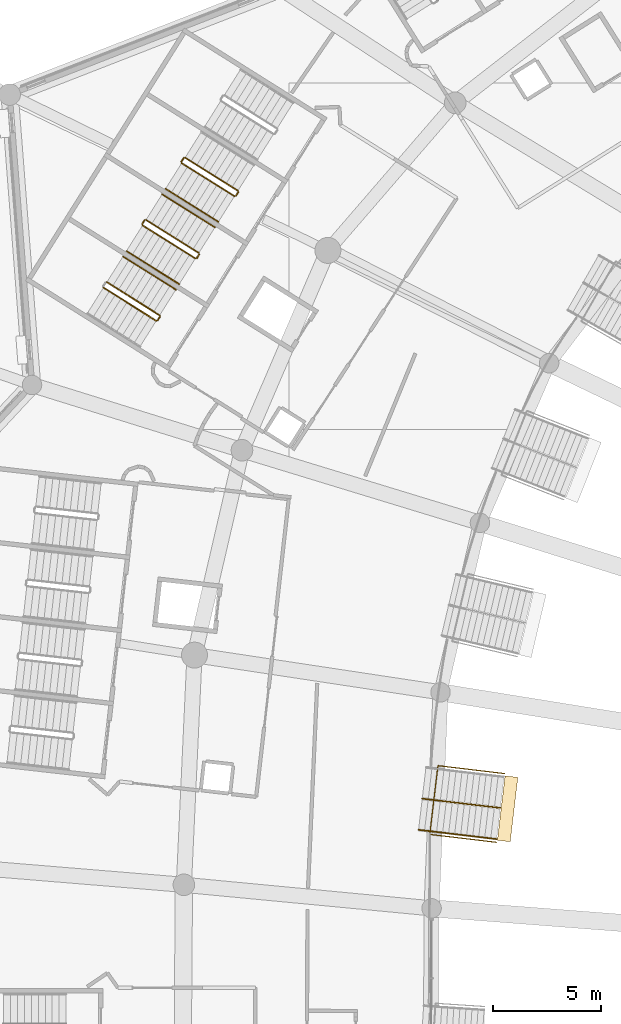
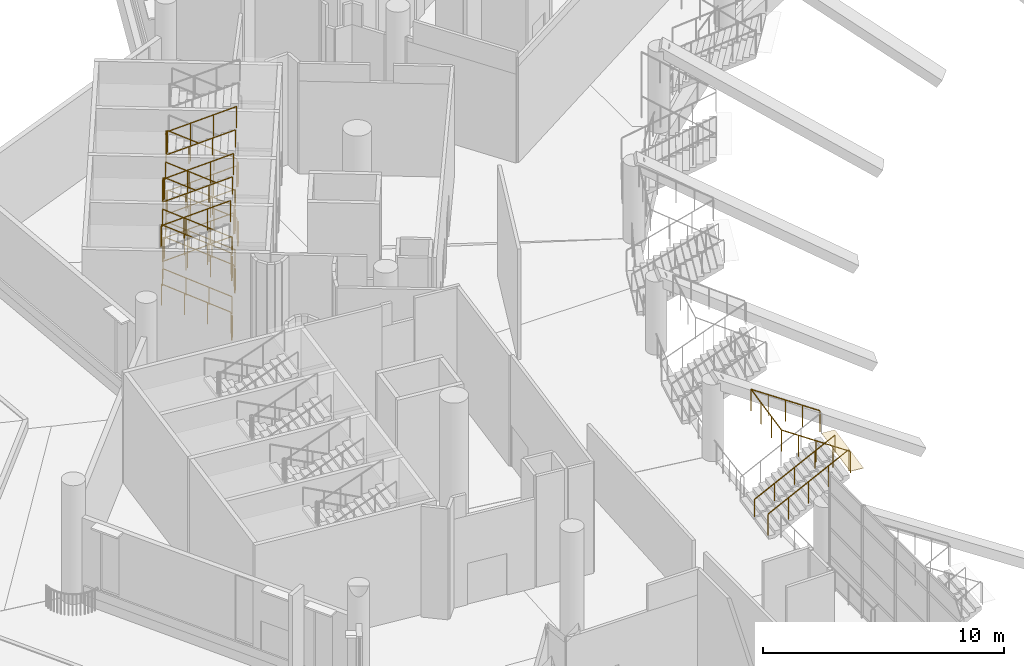
# One storey, part 148 of 173: 32 railings, 1 covering.
"""IFC4 building model written with IfcOpenShell, lengths in metres."""

from ifc_helpers import new_model, si_unit, direction, frame, origin, origin_2d, place, context, subcontext, project, spatial, rectangle, circle, extrude, material, layer, layer_set, type_object, element, save


model = new_model("IFC4")

# Units and contexts
model_context = context("Model", 3, precision=1e-05, world=origin(), true_north=direction((0.0, 1.0)))
body_context = subcontext(model_context, "Body", "Model", "MODEL_VIEW")
ifc_project = project(units=[si_unit("LENGTHUNIT", "METRE"), si_unit("AREAUNIT", "SQUARE_METRE"), si_unit("VOLUMEUNIT", "CUBIC_METRE"), si_unit("PLANEANGLEUNIT", "RADIAN"), si_unit("MASSUNIT", "GRAM", prefix="KILO")], contexts=[model_context])

# Site, building, storey
site_placement = place(None, origin())
site = spatial("IfcSite", under=ifc_project, at=site_placement, CompositionType="ELEMENT")
building_placement = place(site_placement, origin())
building = spatial("IfcBuilding", under=site, at=building_placement, Name="Meseta Stadium", CompositionType="ELEMENT")
storey_placement = place(building_placement, frame((0.0, 0.0, 18.0)))
storey = spatial("IfcBuildingStorey", under=building, at=storey_placement, Name="L03", CompositionType="ELEMENT", Elevation=18.0)

# Railings
ifc_material_1 = material(Name="Steel S355", Category="steel")
railing_type_1 = type_object("IfcRailingType", Name="Stair guard 1100", PredefinedType="GUARDRAIL", material=ifc_material_1)
railing_1_placement = place(storey_placement, frame((-82.356201171875, 75.029052734375, 0.14990234375)))
element("IfcRailing", 1, at=railing_1_placement, inside=storey, type_object=railing_type_1, Name="ST54 L03 guard 1", PredefinedType="GUARDRAIL", context=body_context, shape_type="SweptSolid", body=[
    extrude(circle(Radius=0.02392578125, at=origin_2d()), frame((0.0, 0.0, 1.076171875), z_axis=(-0.766687087345, 0.481702688975, 0.424444848635), x_axis=(-0.532001404082, -0.84674347122, 0.0)), (0.0, 0.0, 1.0), 3.180908203125),
    extrude(circle(Radius=0.02099609375, at=origin_2d()), origin(), (0.0, 0.0, 1.0), 1.052001953125),
    extrude(circle(Radius=0.02099609375, at=origin_2d()), frame((-0.81298828125, 0.5107421875, 0.449951171875)), (0.0, 0.0, 1.0), 1.052001953125),
    extrude(circle(Radius=0.02099609375, at=origin_2d()), frame((-1.625732421875, 1.021484375, 0.900146484375)), (0.0, 0.0, 1.0), 1.052001953125),
    extrude(circle(Radius=0.02099609375, at=origin_2d()), frame((-2.438720703125, 1.5322265625, 1.35009765625)), (0.0, 0.0, 1.0), 1.052001953125),
])
railing_2_placement = place(storey_placement, frame((-84.86376953125, 76.545654296875, 1.5)))
element("IfcRailing", 2, at=railing_2_placement, inside=storey, type_object=railing_type_1, Name="ST54 L03 guard 2", PredefinedType="GUARDRAIL", context=body_context, shape_type="SweptSolid", body=[
    extrude(circle(Radius=0.02392578125, at=origin_2d()), frame((0.0, 0.0, 1.076171875), z_axis=(-0.531971628011, -0.846762178531, 0.0), x_axis=(0.846762178531, -0.531971628011, 0.0)), (0.0, 0.0, 1.0), 0.2001953125),
    extrude(circle(Radius=0.02099609375, at=origin_2d()), origin(), (0.0, 0.0, 1.0), 1.052001953125),
    extrude(circle(Radius=0.02099609375, at=origin_2d()), frame((-0.1064453125, -0.16943359375, 0.0)), (0.0, 0.0, 1.0), 1.052001953125),
])
railing_3_placement = place(storey_placement, frame((-84.954345703125, 76.307373046875, 1.64990234375)))
element("IfcRailing", 3, at=railing_3_placement, inside=storey, type_object=railing_type_1, Name="ST54 L03 guard 3", PredefinedType="GUARDRAIL", context=body_context, shape_type="SweptSolid", body=[
    extrude(circle(Radius=0.02392578125, at=origin_2d()), frame((0.0, 0.0, 1.076171875), z_axis=(0.766655447606, -0.481731036161, 0.424469826318), x_axis=(0.53203959143, 0.846719477248, 0.0)), (0.0, 0.0, 1.0), 3.1806640625),
    extrude(circle(Radius=0.02099609375, at=origin_2d()), origin(), (0.0, 0.0, 1.0), 1.052001953125),
    extrude(circle(Radius=0.02099609375, at=origin_2d()), frame((0.812744140625, -0.5107421875, 0.449951171875)), (0.0, 0.0, 1.0), 1.052001953125),
    extrude(circle(Radius=0.02099609375, at=origin_2d()), frame((1.625732421875, -1.021484375, 0.900146484375)), (0.0, 0.0, 1.0), 1.052001953125),
    extrude(circle(Radius=0.02099609375, at=origin_2d()), frame((2.4384765625, -1.5322265625, 1.35009765625)), (0.0, 0.0, 1.0), 1.052001953125),
])
railing_4_placement = place(storey_placement, frame((-82.340576171875, 74.960205078125, 3.0)))
element("IfcRailing", 4, at=railing_4_placement, inside=storey, type_object=railing_type_1, Name="ST54 L03 guard 4", PredefinedType="GUARDRAIL", context=body_context, shape_type="SweptSolid", body=[
    extrude(circle(Radius=0.02392578125, at=origin_2d()), frame((0.0, 0.0, 1.076171875), z_axis=(-0.531971628011, -0.846762178531, 0.0), x_axis=(0.846762178531, -0.531971628011, 0.0)), (0.0, 0.0, 1.0), 0.2001953125),
    extrude(circle(Radius=0.02099609375, at=origin_2d()), origin(), (0.0, 0.0, 1.0), 1.052001953125),
    extrude(circle(Radius=0.02099609375, at=origin_2d()), frame((-0.1064453125, -0.16943359375, 0.0)), (0.0, 0.0, 1.0), 1.052001953125),
])
railing_5_placement = place(storey_placement, frame((-82.356201171875, 75.029052734375, 3.14990234375)))
element("IfcRailing", 5, at=railing_5_placement, inside=storey, type_object=railing_type_1, Name="ST54 L03 guard 5", PredefinedType="GUARDRAIL", context=body_context, shape_type="SweptSolid", body=[
    extrude(circle(Radius=0.02392578125, at=origin_2d()), frame((0.0, 0.0, 1.076171875), z_axis=(-0.766687087345, 0.481702688975, 0.424444848635), x_axis=(-0.532001404082, -0.84674347122, 0.0)), (0.0, 0.0, 1.0), 3.180908203125),
    extrude(circle(Radius=0.02099609375, at=origin_2d()), origin(), (0.0, 0.0, 1.0), 1.052001953125),
    extrude(circle(Radius=0.02099609375, at=origin_2d()), frame((-0.81298828125, 0.5107421875, 0.449951171875)), (0.0, 0.0, 1.0), 1.052001953125),
    extrude(circle(Radius=0.02099609375, at=origin_2d()), frame((-1.625732421875, 1.021484375, 0.900146484375)), (0.0, 0.0, 1.0), 1.052001953125),
    extrude(circle(Radius=0.02099609375, at=origin_2d()), frame((-2.438720703125, 1.5322265625, 1.35009765625)), (0.0, 0.0, 1.0), 1.052001953125),
])
railing_6_placement = place(storey_placement, frame((-84.86376953125, 76.545654296875, 4.5)))
element("IfcRailing", 6, at=railing_6_placement, inside=storey, type_object=railing_type_1, Name="ST54 L03 guard 6", PredefinedType="GUARDRAIL", context=body_context, shape_type="SweptSolid", body=[
    extrude(circle(Radius=0.02392578125, at=origin_2d()), frame((0.0, 0.0, 1.076171875), z_axis=(-0.531971628011, -0.846762178531, 0.0), x_axis=(0.846762178531, -0.531971628011, 0.0)), (0.0, 0.0, 1.0), 0.2001953125),
    extrude(circle(Radius=0.02099609375, at=origin_2d()), origin(), (0.0, 0.0, 1.0), 1.052001953125),
    extrude(circle(Radius=0.02099609375, at=origin_2d()), frame((-0.1064453125, -0.16943359375, 0.0)), (0.0, 0.0, 1.0), 1.052001953125),
])
railing_7_placement = place(storey_placement, frame((-84.954345703125, 76.307373046875, 4.64990234375)))
element("IfcRailing", 7, at=railing_7_placement, inside=storey, type_object=railing_type_1, Name="ST54 L03 guard 7", PredefinedType="GUARDRAIL", context=body_context, shape_type="SweptSolid", body=[
    extrude(circle(Radius=0.02392578125, at=origin_2d()), frame((0.0, 0.0, 1.076171875), z_axis=(0.766655447606, -0.481731036161, 0.424469826318), x_axis=(0.53203959143, 0.846719477248, 0.0)), (0.0, 0.0, 1.0), 3.1806640625),
    extrude(circle(Radius=0.02099609375, at=origin_2d()), origin(), (0.0, 0.0, 1.0), 1.052001953125),
    extrude(circle(Radius=0.02099609375, at=origin_2d()), frame((0.812744140625, -0.5107421875, 0.449951171875)), (0.0, 0.0, 1.0), 1.052001953125),
    extrude(circle(Radius=0.02099609375, at=origin_2d()), frame((1.625732421875, -1.021484375, 0.900146484375)), (0.0, 0.0, 1.0), 1.052001953125),
    extrude(circle(Radius=0.02099609375, at=origin_2d()), frame((2.4384765625, -1.5322265625, 1.35009765625)), (0.0, 0.0, 1.0), 1.052001953125),
])
railing_8_placement = place(storey_placement, frame((-82.340576171875, 74.960205078125, 0.0)))
element("IfcRailing", 8, at=railing_8_placement, inside=storey, type_object=railing_type_1, Name="ST54 L03 guard 8", PredefinedType="GUARDRAIL", context=body_context, shape_type="SweptSolid", body=[
    extrude(circle(Radius=0.02392578125, at=origin_2d()), frame((0.0, 0.0, 1.076171875), z_axis=(-0.531971628011, -0.846762178531, 0.0), x_axis=(0.846762178531, -0.531971628011, 0.0)), (0.0, 0.0, 1.0), 0.2001953125),
    extrude(circle(Radius=0.02099609375, at=origin_2d()), origin(), (0.0, 0.0, 1.0), 1.052001953125),
    extrude(circle(Radius=0.02099609375, at=origin_2d()), frame((-0.1064453125, -0.16943359375, 0.0)), (0.0, 0.0, 1.0), 1.052001953125),
])
railing_9_placement = place(storey_placement, frame((-84.165283203125, 72.150146484375, 0.14990234375)))
element("IfcRailing", 9, at=railing_9_placement, inside=storey, type_object=railing_type_1, Name="ST55 L03 guard 1", PredefinedType="GUARDRAIL", context=body_context, shape_type="SweptSolid", body=[
    extrude(circle(Radius=0.02392578125, at=origin_2d()), frame((0.0, 0.0, 1.076171875), z_axis=(-0.766655447606, 0.481731036161, 0.424469826318), x_axis=(-0.53203959143, -0.846719477248, 0.0)), (0.0, 0.0, 1.0), 3.1806640625),
    extrude(circle(Radius=0.02099609375, at=origin_2d()), origin(), (0.0, 0.0, 1.0), 1.052001953125),
    extrude(circle(Radius=0.02099609375, at=origin_2d()), frame((-0.812744140625, 0.5107421875, 0.449951171875)), (0.0, 0.0, 1.0), 1.052001953125),
    extrude(circle(Radius=0.02099609375, at=origin_2d()), frame((-1.625732421875, 1.021484375, 0.900146484375)), (0.0, 0.0, 1.0), 1.052001953125),
    extrude(circle(Radius=0.02099609375, at=origin_2d()), frame((-2.4384765625, 1.5322265625, 1.35009765625)), (0.0, 0.0, 1.0), 1.052001953125),
])
railing_10_placement = place(storey_placement, frame((-86.672607421875, 73.666748046875, 1.5)))
element("IfcRailing", 10, at=railing_10_placement, inside=storey, type_object=railing_type_1, Name="ST55 L03 guard 2", PredefinedType="GUARDRAIL", context=body_context, shape_type="SweptSolid", body=[
    extrude(circle(Radius=0.02392578125, at=origin_2d()), frame((0.0, 0.0, 1.076171875), z_axis=(-0.531971628011, -0.846762178531, 0.0), x_axis=(0.846762178531, -0.531971628011, 0.0)), (0.0, 0.0, 1.0), 0.2001953125),
    extrude(circle(Radius=0.02099609375, at=origin_2d()), origin(), (0.0, 0.0, 1.0), 1.052001953125),
    extrude(circle(Radius=0.02099609375, at=origin_2d()), frame((-0.1064453125, -0.16943359375, 0.0)), (0.0, 0.0, 1.0), 1.052001953125),
])
railing_11_placement = place(storey_placement, frame((-86.763427734375, 73.428466796875, 1.64990234375)))
element("IfcRailing", 11, at=railing_11_placement, inside=storey, type_object=railing_type_1, Name="ST55 L03 guard 3", PredefinedType="GUARDRAIL", context=body_context, shape_type="SweptSolid", body=[
    extrude(circle(Radius=0.02392578125, at=origin_2d()), frame((0.0, 0.0, 1.076171875), z_axis=(0.766687087345, -0.481702688975, 0.424444848635), x_axis=(0.532001404082, 0.84674347122, 0.0)), (0.0, 0.0, 1.0), 3.180908203125),
    extrude(circle(Radius=0.02099609375, at=origin_2d()), origin(), (0.0, 0.0, 1.0), 1.052001953125),
    extrude(circle(Radius=0.02099609375, at=origin_2d()), frame((0.81298828125, -0.5107421875, 0.449951171875)), (0.0, 0.0, 1.0), 1.052001953125),
    extrude(circle(Radius=0.02099609375, at=origin_2d()), frame((1.625732421875, -1.021484375, 0.900146484375)), (0.0, 0.0, 1.0), 1.052001953125),
    extrude(circle(Radius=0.02099609375, at=origin_2d()), frame((2.438720703125, -1.5322265625, 1.35009765625)), (0.0, 0.0, 1.0), 1.052001953125),
])
railing_12_placement = place(storey_placement, frame((-84.1494140625, 72.081298828125, 3.0)))
element("IfcRailing", 12, at=railing_12_placement, inside=storey, type_object=railing_type_1, Name="ST55 L03 guard 4", PredefinedType="GUARDRAIL", context=body_context, shape_type="SweptSolid", body=[
    extrude(circle(Radius=0.02392578125, at=origin_2d()), frame((0.0, 0.0, 1.076171875), z_axis=(-0.531971628011, -0.846762178531, 0.0), x_axis=(0.846762178531, -0.531971628011, 0.0)), (0.0, 0.0, 1.0), 0.2001953125),
    extrude(circle(Radius=0.02099609375, at=origin_2d()), origin(), (0.0, 0.0, 1.0), 1.052001953125),
    extrude(circle(Radius=0.02099609375, at=origin_2d()), frame((-0.1064453125, -0.16943359375, 0.0)), (0.0, 0.0, 1.0), 1.052001953125),
])
railing_13_placement = place(storey_placement, frame((-84.165283203125, 72.150146484375, 3.14990234375)))
element("IfcRailing", 13, at=railing_13_placement, inside=storey, type_object=railing_type_1, Name="ST55 L03 guard 5", PredefinedType="GUARDRAIL", context=body_context, shape_type="SweptSolid", body=[
    extrude(circle(Radius=0.02392578125, at=origin_2d()), frame((0.0, 0.0, 1.076171875), z_axis=(-0.766655447606, 0.481731036161, 0.424469826318), x_axis=(-0.53203959143, -0.846719477248, 0.0)), (0.0, 0.0, 1.0), 3.1806640625),
    extrude(circle(Radius=0.02099609375, at=origin_2d()), origin(), (0.0, 0.0, 1.0), 1.052001953125),
    extrude(circle(Radius=0.02099609375, at=origin_2d()), frame((-0.812744140625, 0.5107421875, 0.449951171875)), (0.0, 0.0, 1.0), 1.052001953125),
    extrude(circle(Radius=0.02099609375, at=origin_2d()), frame((-1.625732421875, 1.021484375, 0.900146484375)), (0.0, 0.0, 1.0), 1.052001953125),
    extrude(circle(Radius=0.02099609375, at=origin_2d()), frame((-2.4384765625, 1.5322265625, 1.35009765625)), (0.0, 0.0, 1.0), 1.052001953125),
])
railing_14_placement = place(storey_placement, frame((-86.672607421875, 73.666748046875, 4.5)))
element("IfcRailing", 14, at=railing_14_placement, inside=storey, type_object=railing_type_1, Name="ST55 L03 guard 6", PredefinedType="GUARDRAIL", context=body_context, shape_type="SweptSolid", body=[
    extrude(circle(Radius=0.02392578125, at=origin_2d()), frame((0.0, 0.0, 1.076171875), z_axis=(-0.531971628011, -0.846762178531, 0.0), x_axis=(0.846762178531, -0.531971628011, 0.0)), (0.0, 0.0, 1.0), 0.2001953125),
    extrude(circle(Radius=0.02099609375, at=origin_2d()), origin(), (0.0, 0.0, 1.0), 1.052001953125),
    extrude(circle(Radius=0.02099609375, at=origin_2d()), frame((-0.1064453125, -0.16943359375, 0.0)), (0.0, 0.0, 1.0), 1.052001953125),
])
railing_15_placement = place(storey_placement, frame((-86.763427734375, 73.428466796875, 4.64990234375)))
element("IfcRailing", 15, at=railing_15_placement, inside=storey, type_object=railing_type_1, Name="ST55 L03 guard 7", PredefinedType="GUARDRAIL", context=body_context, shape_type="SweptSolid", body=[
    extrude(circle(Radius=0.02392578125, at=origin_2d()), frame((0.0, 0.0, 1.076171875), z_axis=(0.766687087345, -0.481702688975, 0.424444848635), x_axis=(0.532001404082, 0.84674347122, 0.0)), (0.0, 0.0, 1.0), 3.180908203125),
    extrude(circle(Radius=0.02099609375, at=origin_2d()), origin(), (0.0, 0.0, 1.0), 1.052001953125),
    extrude(circle(Radius=0.02099609375, at=origin_2d()), frame((0.81298828125, -0.5107421875, 0.449951171875)), (0.0, 0.0, 1.0), 1.052001953125),
    extrude(circle(Radius=0.02099609375, at=origin_2d()), frame((1.625732421875, -1.021484375, 0.900146484375)), (0.0, 0.0, 1.0), 1.052001953125),
    extrude(circle(Radius=0.02099609375, at=origin_2d()), frame((2.438720703125, -1.5322265625, 1.35009765625)), (0.0, 0.0, 1.0), 1.052001953125),
])
railing_16_placement = place(storey_placement, frame((-84.1494140625, 72.081298828125, 0.0)))
element("IfcRailing", 16, at=railing_16_placement, inside=storey, type_object=railing_type_1, Name="ST55 L03 guard 8", PredefinedType="GUARDRAIL", context=body_context, shape_type="SweptSolid", body=[
    extrude(circle(Radius=0.02392578125, at=origin_2d()), frame((0.0, 0.0, 1.076171875), z_axis=(-0.531971628011, -0.846762178531, 0.0), x_axis=(0.846762178531, -0.531971628011, 0.0)), (0.0, 0.0, 1.0), 0.2001953125),
    extrude(circle(Radius=0.02099609375, at=origin_2d()), origin(), (0.0, 0.0, 1.0), 1.052001953125),
    extrude(circle(Radius=0.02099609375, at=origin_2d()), frame((-0.1064453125, -0.16943359375, 0.0)), (0.0, 0.0, 1.0), 1.052001953125),
])
railing_17_placement = place(storey_placement, frame((-85.97412109375, 69.271240234375, 0.14990234375)))
element("IfcRailing", 17, at=railing_17_placement, inside=storey, type_object=railing_type_1, Name="ST56 L03 guard 1", PredefinedType="GUARDRAIL", context=body_context, shape_type="SweptSolid", body=[
    extrude(circle(Radius=0.02392578125, at=origin_2d()), frame((0.0, 0.0, 1.076171875), z_axis=(-0.766655447606, 0.481731036161, 0.424469826318), x_axis=(-0.53203959143, -0.846719477248, 0.0)), (0.0, 0.0, 1.0), 3.1806640625),
    extrude(circle(Radius=0.02099609375, at=origin_2d()), origin(), (0.0, 0.0, 1.0), 1.052001953125),
    extrude(circle(Radius=0.02099609375, at=origin_2d()), frame((-0.812744140625, 0.5107421875, 0.449951171875)), (0.0, 0.0, 1.0), 1.052001953125),
    extrude(circle(Radius=0.02099609375, at=origin_2d()), frame((-1.625732421875, 1.021484375, 0.900146484375)), (0.0, 0.0, 1.0), 1.052001953125),
    extrude(circle(Radius=0.02099609375, at=origin_2d()), frame((-2.4384765625, 1.5322265625, 1.35009765625)), (0.0, 0.0, 1.0), 1.052001953125),
])
railing_18_placement = place(storey_placement, frame((-85.958251953125, 69.202392578125, 3.0)))
element("IfcRailing", 18, at=railing_18_placement, inside=storey, type_object=railing_type_1, Name="ST56 L03 guard 4", PredefinedType="GUARDRAIL", context=body_context, shape_type="SweptSolid", body=[
    extrude(circle(Radius=0.02392578125, at=origin_2d()), frame((0.0, 0.0, 1.076171875), z_axis=(-0.531971628011, -0.846762178531, 0.0), x_axis=(0.846762178531, -0.531971628011, 0.0)), (0.0, 0.0, 1.0), 0.2001953125),
    extrude(circle(Radius=0.02099609375, at=origin_2d()), origin(), (0.0, 0.0, 1.0), 1.052001953125),
    extrude(circle(Radius=0.02099609375, at=origin_2d()), frame((-0.1064453125, -0.16943359375, 0.0)), (0.0, 0.0, 1.0), 1.052001953125),
])
railing_19_placement = place(storey_placement, frame((-85.97412109375, 69.271240234375, 3.14990234375)))
element("IfcRailing", 19, at=railing_19_placement, inside=storey, type_object=railing_type_1, Name="ST56 L03 guard 5", PredefinedType="GUARDRAIL", context=body_context, shape_type="SweptSolid", body=[
    extrude(circle(Radius=0.02392578125, at=origin_2d()), frame((0.0, 0.0, 1.076171875), z_axis=(-0.766655447606, 0.481731036161, 0.424469826318), x_axis=(-0.53203959143, -0.846719477248, 0.0)), (0.0, 0.0, 1.0), 3.1806640625),
    extrude(circle(Radius=0.02099609375, at=origin_2d()), origin(), (0.0, 0.0, 1.0), 1.052001953125),
    extrude(circle(Radius=0.02099609375, at=origin_2d()), frame((-0.812744140625, 0.5107421875, 0.449951171875)), (0.0, 0.0, 1.0), 1.052001953125),
    extrude(circle(Radius=0.02099609375, at=origin_2d()), frame((-1.625732421875, 1.021484375, 0.900146484375)), (0.0, 0.0, 1.0), 1.052001953125),
    extrude(circle(Radius=0.02099609375, at=origin_2d()), frame((-2.4384765625, 1.5322265625, 1.35009765625)), (0.0, 0.0, 1.0), 1.052001953125),
])
railing_20_placement = place(storey_placement, frame((-88.572265625, 70.549560546875, 4.64990234375)))
element("IfcRailing", 20, at=railing_20_placement, inside=storey, type_object=railing_type_1, Name="ST56 L03 guard 7", PredefinedType="GUARDRAIL", context=body_context, shape_type="SweptSolid", body=[
    extrude(circle(Radius=0.02392578125, at=origin_2d()), frame((0.0, 0.0, 1.076171875), z_axis=(0.766655447606, -0.481731036161, 0.424469826318), x_axis=(0.53203959143, 0.846719477248, 0.0)), (0.0, 0.0, 1.0), 3.1806640625),
    extrude(circle(Radius=0.02099609375, at=origin_2d()), origin(), (0.0, 0.0, 1.0), 1.052001953125),
    extrude(circle(Radius=0.02099609375, at=origin_2d()), frame((0.812744140625, -0.5107421875, 0.449951171875)), (0.0, 0.0, 1.0), 1.052001953125),
    extrude(circle(Radius=0.02099609375, at=origin_2d()), frame((1.625732421875, -1.021484375, 0.900146484375)), (0.0, 0.0, 1.0), 1.052001953125),
    extrude(circle(Radius=0.02099609375, at=origin_2d()), frame((2.4384765625, -1.5322265625, 1.35009765625)), (0.0, 0.0, 1.0), 1.052001953125),
])
railing_21_placement = place(storey_placement, frame((-85.958251953125, 69.202392578125, 0.0)))
element("IfcRailing", 21, at=railing_21_placement, inside=storey, type_object=railing_type_1, Name="ST56 L03 guard 8", PredefinedType="GUARDRAIL", context=body_context, shape_type="SweptSolid", body=[
    extrude(circle(Radius=0.02392578125, at=origin_2d()), frame((0.0, 0.0, 1.076171875), z_axis=(-0.531971628011, -0.846762178531, 0.0), x_axis=(0.846762178531, -0.531971628011, 0.0)), (0.0, 0.0, 1.0), 0.2001953125),
    extrude(circle(Radius=0.02099609375, at=origin_2d()), origin(), (0.0, 0.0, 1.0), 1.052001953125),
    extrude(circle(Radius=0.02099609375, at=origin_2d()), frame((-0.1064453125, -0.16943359375, 0.0)), (0.0, 0.0, 1.0), 1.052001953125),
])
ifc_material_2 = material(Name="Steel S355", Category="steel")
railing_type_2 = type_object("IfcRailingType", Name="Stair handrail 900", PredefinedType="HANDRAIL", material=ifc_material_2)
for number, where, name in (
    (22, (-85.69921875, 75.121826171875, 1.64990234375), "ST54 L03 handrail 2"),
    (23, (-85.69921875, 75.121826171875, 4.64990234375), "ST54 L03 handrail 4"),
):
    element("IfcRailing", number, at=place(storey_placement, frame(where)), inside=storey, type_object=railing_type_2, Name=name, PredefinedType="HANDRAIL", context=body_context, shape_type="SweptSolid", body=[
        extrude(circle(Radius=0.02392578125, at=origin_2d()), frame((0.0, 0.0, 0.8759765625), z_axis=(0.766655447606, -0.481731036161, 0.424469826318), x_axis=(0.53203959143, 0.846719477248, 0.0)), (0.0, 0.0, 1.0), 3.1806640625),
        extrude(circle(Radius=0.02099609375, at=origin_2d()), origin(), (0.0, 0.0, 1.0), 0.851806640625),
        extrude(circle(Radius=0.02099609375, at=origin_2d()), frame((0.812744140625, -0.5107421875, 0.449951171875)), (0.0, 0.0, 1.0), 0.851806640625),
        extrude(circle(Radius=0.02099609375, at=origin_2d()), frame((1.625732421875, -1.021484375, 0.900146484375)), (0.0, 0.0, 1.0), 0.851806640625),
        extrude(circle(Radius=0.02099609375, at=origin_2d()), frame((2.4384765625, -1.5322265625, 1.35009765625)), (0.0, 0.0, 1.0), 0.851806640625),
    ])
railing_22_placement = place(storey_placement, frame((-83.42041015625, 73.335693359375, 0.14990234375)))
element("IfcRailing", 24, at=railing_22_placement, inside=storey, type_object=railing_type_2, Name="ST55 L03 handrail 1", PredefinedType="HANDRAIL", context=body_context, shape_type="SweptSolid", body=[
    extrude(circle(Radius=0.02392578125, at=origin_2d()), frame((0.0, 0.0, 0.8759765625), z_axis=(-0.766655447606, 0.481731036161, 0.424469826318), x_axis=(-0.53203959143, -0.846719477248, 0.0)), (0.0, 0.0, 1.0), 3.1806640625),
    extrude(circle(Radius=0.02099609375, at=origin_2d()), origin(), (0.0, 0.0, 1.0), 0.851806640625),
    extrude(circle(Radius=0.02099609375, at=origin_2d()), frame((-0.812744140625, 0.5107421875, 0.449951171875)), (0.0, 0.0, 1.0), 0.851806640625),
    extrude(circle(Radius=0.02099609375, at=origin_2d()), frame((-1.625732421875, 1.021484375, 0.900146484375)), (0.0, 0.0, 1.0), 0.851806640625),
    extrude(circle(Radius=0.02099609375, at=origin_2d()), frame((-2.4384765625, 1.5322265625, 1.35009765625)), (0.0, 0.0, 1.0), 0.851806640625),
])
railing_23_placement = place(storey_placement, frame((-87.50830078125, 72.242919921875, 1.64990234375)))
element("IfcRailing", 25, at=railing_23_placement, inside=storey, type_object=railing_type_2, Name="ST55 L03 handrail 2", PredefinedType="HANDRAIL", context=body_context, shape_type="SweptSolid", body=[
    extrude(circle(Radius=0.02392578125, at=origin_2d()), frame((0.0, 0.0, 0.8759765625), z_axis=(0.766687087345, -0.481702688975, 0.424444848635), x_axis=(0.532001404082, 0.84674347122, 0.0)), (0.0, 0.0, 1.0), 3.180908203125),
    extrude(circle(Radius=0.02099609375, at=origin_2d()), origin(), (0.0, 0.0, 1.0), 0.851806640625),
    extrude(circle(Radius=0.02099609375, at=origin_2d()), frame((0.81298828125, -0.5107421875, 0.449951171875)), (0.0, 0.0, 1.0), 0.851806640625),
    extrude(circle(Radius=0.02099609375, at=origin_2d()), frame((1.625732421875, -1.021484375, 0.900146484375)), (0.0, 0.0, 1.0), 0.851806640625),
    extrude(circle(Radius=0.02099609375, at=origin_2d()), frame((2.438720703125, -1.5322265625, 1.35009765625)), (0.0, 0.0, 1.0), 0.851806640625),
])
railing_24_placement = place(storey_placement, frame((-83.42041015625, 73.335693359375, 3.14990234375)))
element("IfcRailing", 26, at=railing_24_placement, inside=storey, type_object=railing_type_2, Name="ST55 L03 handrail 3", PredefinedType="HANDRAIL", context=body_context, shape_type="SweptSolid", body=[
    extrude(circle(Radius=0.02392578125, at=origin_2d()), frame((0.0, 0.0, 0.8759765625), z_axis=(-0.766655447606, 0.481731036161, 0.424469826318), x_axis=(-0.53203959143, -0.846719477248, 0.0)), (0.0, 0.0, 1.0), 3.1806640625),
    extrude(circle(Radius=0.02099609375, at=origin_2d()), origin(), (0.0, 0.0, 1.0), 0.851806640625),
    extrude(circle(Radius=0.02099609375, at=origin_2d()), frame((-0.812744140625, 0.5107421875, 0.449951171875)), (0.0, 0.0, 1.0), 0.851806640625),
    extrude(circle(Radius=0.02099609375, at=origin_2d()), frame((-1.625732421875, 1.021484375, 0.900146484375)), (0.0, 0.0, 1.0), 0.851806640625),
    extrude(circle(Radius=0.02099609375, at=origin_2d()), frame((-2.4384765625, 1.5322265625, 1.35009765625)), (0.0, 0.0, 1.0), 0.851806640625),
])
railing_25_placement = place(storey_placement, frame((-87.50830078125, 72.242919921875, 4.64990234375)))
element("IfcRailing", 27, at=railing_25_placement, inside=storey, type_object=railing_type_2, Name="ST55 L03 handrail 4", PredefinedType="HANDRAIL", context=body_context, shape_type="SweptSolid", body=[
    extrude(circle(Radius=0.02392578125, at=origin_2d()), frame((0.0, 0.0, 0.8759765625), z_axis=(0.766687087345, -0.481702688975, 0.424444848635), x_axis=(0.532001404082, 0.84674347122, 0.0)), (0.0, 0.0, 1.0), 3.180908203125),
    extrude(circle(Radius=0.02099609375, at=origin_2d()), origin(), (0.0, 0.0, 1.0), 0.851806640625),
    extrude(circle(Radius=0.02099609375, at=origin_2d()), frame((0.81298828125, -0.5107421875, 0.449951171875)), (0.0, 0.0, 1.0), 0.851806640625),
    extrude(circle(Radius=0.02099609375, at=origin_2d()), frame((1.625732421875, -1.021484375, 0.900146484375)), (0.0, 0.0, 1.0), 0.851806640625),
    extrude(circle(Radius=0.02099609375, at=origin_2d()), frame((2.438720703125, -1.5322265625, 1.35009765625)), (0.0, 0.0, 1.0), 0.851806640625),
])
for number, where, name in (
    (28, (-85.229248046875, 70.456787109375, 0.14990234375), "ST56 L03 handrail 1"),
    (29, (-85.229248046875, 70.456787109375, 3.14990234375), "ST56 L03 handrail 3"),
):
    element("IfcRailing", number, at=place(storey_placement, frame(where)), inside=storey, type_object=railing_type_2, Name=name, PredefinedType="HANDRAIL", context=body_context, shape_type="SweptSolid", body=[
        extrude(circle(Radius=0.02392578125, at=origin_2d()), frame((0.0, 0.0, 0.8759765625), z_axis=(-0.766655447606, 0.481731036161, 0.424469826318), x_axis=(-0.53203959143, -0.846719477248, 0.0)), (0.0, 0.0, 1.0), 3.1806640625),
        extrude(circle(Radius=0.02099609375, at=origin_2d()), origin(), (0.0, 0.0, 1.0), 0.851806640625),
        extrude(circle(Radius=0.02099609375, at=origin_2d()), frame((-0.812744140625, 0.5107421875, 0.449951171875)), (0.0, 0.0, 1.0), 0.851806640625),
        extrude(circle(Radius=0.02099609375, at=origin_2d()), frame((-1.625732421875, 1.021484375, 0.900146484375)), (0.0, 0.0, 1.0), 0.851806640625),
        extrude(circle(Radius=0.02099609375, at=origin_2d()), frame((-2.4384765625, 1.5322265625, 1.35009765625)), (0.0, 0.0, 1.0), 0.851806640625),
    ])

# Covering
ifc_material_3 = material(Name="Stone paving", Category="masonry")
ifc_layer = layer(ifc_material_3, 0.02001953125)
ifc_layer_set = layer_set([ifc_layer], Name="Vomitory exit threshold plate 20")
covering_type = type_object("IfcCoveringType", Name="Vomitory exit threshold plate 20", PredefinedType="FLOORING", material=ifc_layer_set)
covering_placement = place(storey_placement, frame((-69.890380859375, 46.4619140625, 2.409423828125), z_axis=(0.0, 0.0, 1.0), x_axis=(0.993015017931, -0.117988025512, 0.0)))
element("IfcCovering", 30, at=covering_placement, inside=storey, type_object=covering_type, Name="Vomitory V-upper-29 exit threshold", PredefinedType="FLOORING", context=body_context, shape_type="SweptSolid", body=[
    extrude(rectangle(XDim=0.60009765625, YDim=3.0, at=origin_2d()), origin(), (0.0, 0.0, 1.0), 0.02001953125),
])

# Railings
ifc_material_4 = material(Name="Steel S355", Category="steel")
railing_type_3 = type_object("IfcRailingType", Name="Vomitory slot guard 1100", PredefinedType="GUARDRAIL", material=ifc_material_4)
railing_26_placement = place(storey_placement, frame((-70.41064453125, 44.91259765625, 2.429443359375)))
element("IfcRailing", 31, at=railing_26_placement, inside=storey, type_object=railing_type_3, Name="Vomitory V-upper-29 slot guard", PredefinedType="GUARDRAIL", context=body_context, shape_type="SweptSolid", body=[
    extrude(circle(Radius=0.02490234375, at=origin_2d()), frame((0.0, 0.0, 1.0751953125), z_axis=(-0.842077775272, 0.100042232323, 0.529996766164), x_axis=(-0.117974377502, -0.993016639464, 0.0)), (0.0, 0.0, 1.0), 3.65576171875),
    extrude(circle(Radius=0.02490234375, at=origin_2d()), frame((-3.078369140625, 0.36572265625, 3.0126953125), z_axis=(0.117947803089, 0.993019796251, 0.0), x_axis=(-0.993019796251, 0.117947803089, 0.0)), (0.0, 0.0, 1.0), 3.199951171875),
    extrude(circle(Radius=0.02490234375, at=origin_2d()), frame((-2.700927734375, 3.54345703125, 3.0126953125), z_axis=(0.842072147355, -0.100108347124, -0.529993223999), x_axis=(0.118052034907, 0.993007410372, 0.0)), (0.0, 0.0, 1.0), 3.65576171875),
    extrude(circle(Radius=0.02001953125, at=origin_2d()), origin(), (0.0, 0.0, 1.0), 1.050048828125),
    extrude(circle(Radius=0.02001953125, at=origin_2d()), frame((-0.76953125, 0.09130859375, 0.484375)), (0.0, 0.0, 1.0), 1.050048828125),
    extrude(circle(Radius=0.02001953125, at=origin_2d()), frame((-1.5390625, 0.182861328125, 0.96875)), (0.0, 0.0, 1.0), 1.050048828125),
    extrude(circle(Radius=0.02001953125, at=origin_2d()), frame((-2.308837890625, 0.2744140625, 1.453125)), (0.0, 0.0, 1.0), 1.050048828125),
    extrude(circle(Radius=0.02001953125, at=origin_2d()), frame((-3.078369140625, 0.36572265625, 1.9375)), (0.0, 0.0, 1.0), 1.050048828125),
    extrude(circle(Radius=0.02001953125, at=origin_2d()), frame((-2.95263671875, 1.425048828125, 1.9375)), (0.0, 0.0, 1.0), 1.050048828125),
    extrude(circle(Radius=0.02001953125, at=origin_2d()), frame((-2.82666015625, 2.484130859375, 1.9375)), (0.0, 0.0, 1.0), 1.050048828125),
    extrude(circle(Radius=0.02001953125, at=origin_2d()), frame((-2.700927734375, 3.54345703125, 1.9375)), (0.0, 0.0, 1.0), 1.050048828125),
    extrude(circle(Radius=0.02001953125, at=origin_2d()), frame((-1.931396484375, 3.451904296875, 1.453125)), (0.0, 0.0, 1.0), 1.050048828125),
    extrude(circle(Radius=0.02001953125, at=origin_2d()), frame((-1.16162109375, 3.3603515625, 0.96875)), (0.0, 0.0, 1.0), 1.050048828125),
    extrude(circle(Radius=0.02001953125, at=origin_2d()), frame((-0.39208984375, 3.26904296875, 0.484375)), (0.0, 0.0, 1.0), 1.050048828125),
    extrude(circle(Radius=0.02001953125, at=origin_2d()), frame((0.37744140625, 3.177490234375, 0.0)), (0.0, 0.0, 1.0), 1.050048828125),
])
ifc_material_5 = material(Name="Steel S355", Category="steel")
railing_type_4 = type_object("IfcRailingType", Name="Vomitory stair guard 1100", PredefinedType="GUARDRAIL", material=ifc_material_5)
railing_27_placement = place(storey_placement, frame((-74.007568359375, 45.490966796875, 0.173583984375)))
element("IfcRailing", 32, at=railing_27_placement, inside=storey, type_object=railing_type_4, Name="Vomitory V-upper-29 guard right", PredefinedType="GUARDRAIL", context=body_context, shape_type="SweptSolid", body=[
    extrude(circle(Radius=0.02490234375, at=origin_2d()), frame((0.0, 0.0, 1.0751953125), z_axis=(0.844059575991, -0.100283741585, 0.526788955229), x_axis=(0.117981411605, 0.993015803759, 0.0)), (0.0, 0.0, 1.0), 4.2822265625),
    extrude(circle(Radius=0.02001953125, at=origin_2d()), origin(), (0.0, 0.0, 1.0), 1.050048828125),
    extrude(circle(Radius=0.02001953125, at=origin_2d()), frame((0.903564453125, -0.107421875, 0.56396484375)), (0.0, 0.0, 1.0), 1.050048828125),
    extrude(circle(Radius=0.02001953125, at=origin_2d()), frame((1.80712890625, -0.21484375, 1.1279296875)), (0.0, 0.0, 1.0), 1.050048828125),
    extrude(circle(Radius=0.02001953125, at=origin_2d()), frame((2.7109375, -0.322021484375, 1.69189453125)), (0.0, 0.0, 1.0), 1.050048828125),
    extrude(circle(Radius=0.02001953125, at=origin_2d()), frame((3.614501953125, -0.429443359375, 2.255859375)), (0.0, 0.0, 1.0), 1.050048828125),
])
ifc_material_6 = material(Name="Steel S355", Category="steel")
railing_type_5 = type_object("IfcRailingType", Name="Vomitory stair handrail 900", PredefinedType="HANDRAIL", material=ifc_material_6)
railing_28_placement = place(storey_placement, frame((-73.83642578125, 46.930908203125, 0.173583984375)))
element("IfcRailing", 33, at=railing_28_placement, inside=storey, type_object=railing_type_5, Name="Vomitory V-upper-29 central handrail", PredefinedType="HANDRAIL", context=body_context, shape_type="SweptSolid", body=[
    extrude(circle(Radius=0.02490234375, at=origin_2d()), frame((0.0, 0.0, 0.875), z_axis=(0.844059575991, -0.100283741585, 0.526788955229), x_axis=(0.117981411605, 0.993015803759, 0.0)), (0.0, 0.0, 1.0), 4.2822265625),
    extrude(circle(Radius=0.02001953125, at=origin_2d()), origin(), (0.0, 0.0, 1.0), 0.849853515625),
    extrude(circle(Radius=0.02001953125, at=origin_2d()), frame((0.903564453125, -0.107421875, 0.56396484375)), (0.0, 0.0, 1.0), 0.849853515625),
    extrude(circle(Radius=0.02001953125, at=origin_2d()), frame((1.80712890625, -0.21484375, 1.1279296875)), (0.0, 0.0, 1.0), 0.849853515625),
    extrude(circle(Radius=0.02001953125, at=origin_2d()), frame((2.7109375, -0.322021484375, 1.69189453125)), (0.0, 0.0, 1.0), 0.849853515625),
    extrude(circle(Radius=0.02001953125, at=origin_2d()), frame((3.614501953125, -0.429443359375, 2.255859375)), (0.0, 0.0, 1.0), 0.849853515625),
])

save(model, "model.ifc")
